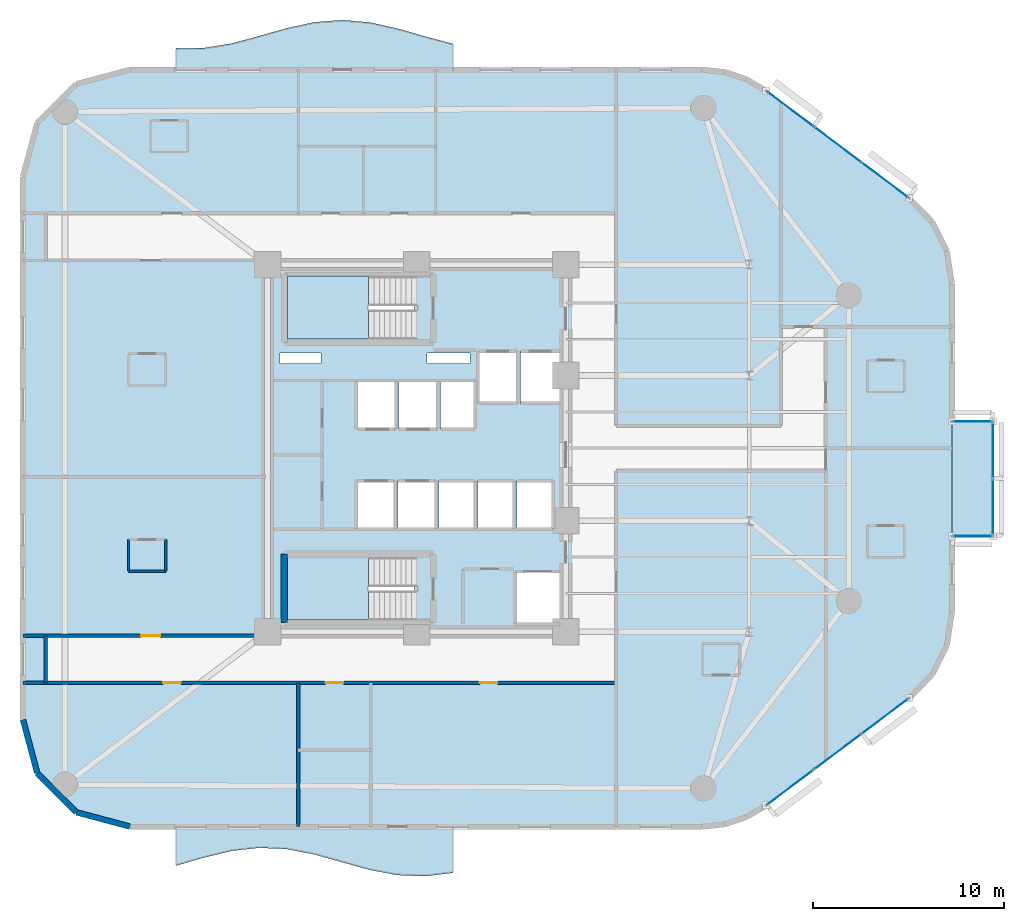
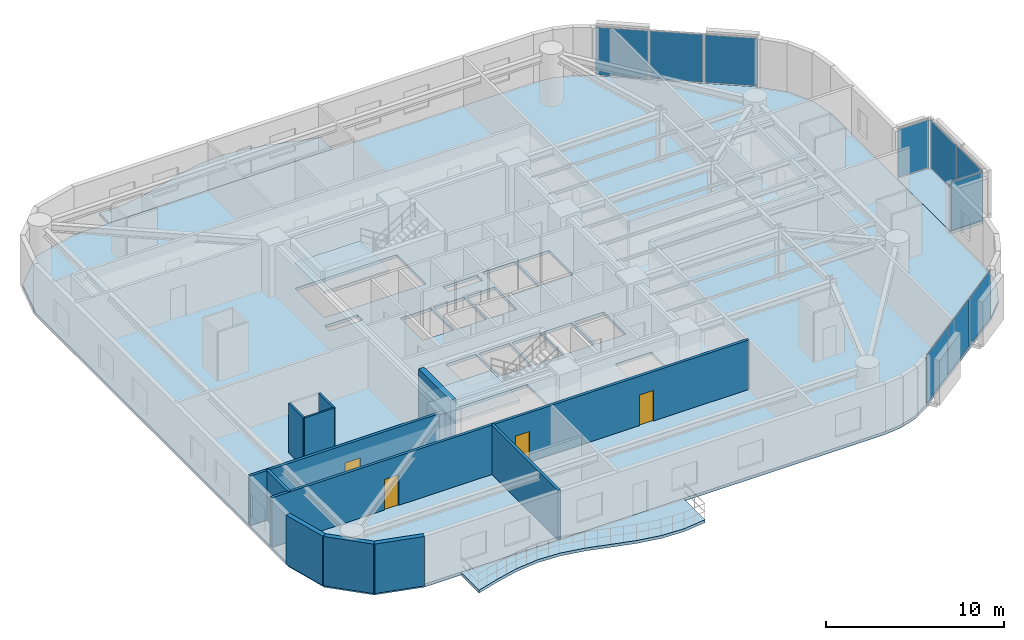
# One storey, part 7 of 14: 11 walls, 10 plates, 6 slabs, 4 doors, 4 openings, 7 elements without a shape of their own.
"""IFC4 building model written with IfcOpenShell, lengths in metres."""

from ifc_helpers import new_model, si_unit, direction, frame, frame_2d, origin, origin_2d, place, context, subcontext, project, spatial, polyline, rectangle, outline, extrude, material, layer, layer_set, type_object, element, fill, aggregate, save


model = new_model("IFC4")

# Units and contexts
model_context = context("Model", 3, precision=1e-05, world=origin(), true_north=direction((0.0, 1.0)))
body_context = subcontext(model_context, "Body", "Model", "MODEL_VIEW")
ifc_project = project(units=[si_unit("LENGTHUNIT", "METRE"), si_unit("AREAUNIT", "SQUARE_METRE"), si_unit("VOLUMEUNIT", "CUBIC_METRE"), si_unit("PLANEANGLEUNIT", "RADIAN"), si_unit("MASSUNIT", "GRAM", prefix="KILO")], contexts=[model_context])

# Site, building, storey
site_placement = place(None, origin())
site = spatial("IfcSite", under=ifc_project, at=site_placement, CompositionType="ELEMENT")
building_placement = place(site_placement, origin())
building = spatial("IfcBuilding", under=site, at=building_placement, Name="An Khanh Terracotta Commons", CompositionType="ELEMENT")
storey_placement = place(building_placement, frame((0.0, 0.0, 104.300048828125)))
storey = spatial("IfcBuildingStorey", under=building, at=storey_placement, Name="L27", CompositionType="ELEMENT", Elevation=104.300048828125)

# Curtain wall, plates
ifc_material_1 = material(Name="Anodised Aluminium 6063-T6", Category="aluminium")
ifc_layer_1 = layer(ifc_material_1, 0.199951171875, Name="Anodised Aluminium 6063-T6")
ifc_layer_set_1 = layer_set([ifc_layer_1], Name="Anodised Aluminium 6063-T6")
curtain_wall_type_1 = type_object("IfcCurtainWallType", Name="CW-SYS-02", PredefinedType="USERDEFINED", material=ifc_layer_set_1)
curtain_wall_1_placement = place(storey_placement, origin())
curtain_wall_1 = element("IfcCurtainWall", 1, at=curtain_wall_1_placement, inside=storey, type_object=curtain_wall_type_1, Name="L27 CW-02 Unitised Curtain Wall CW-L27-08", ObjectType="UNITISED CURTAIN WALL", PredefinedType="USERDEFINED")
ifc_material_2 = material(Name="Double Low-E Solar Control Glazing", Category="glass")
ifc_layer_2 = layer(ifc_material_2, 0.028076171875, Name="Double Low-E Solar Control Glazing")
ifc_layer_set_2 = layer_set([ifc_layer_2], Name="Double Low-E Solar Control Glazing")
plate_type_1 = type_object("IfcPlateType", Name="CWP-IGU-28", PredefinedType="CURTAIN_PANEL", material=ifc_layer_set_2)
plate_1_placement = place(storey_placement, frame((48.951416015625, 6.263916015625, 0.06005859375), z_axis=(0.0, 0.0, 1.0), x_axis=(0.800012856594, 0.599982857492, 0.0)))
plate_1 = element("IfcPlate", 2, at=plate_1_placement, type_object=plate_type_1, Name="CW-02 panel 1.1", PredefinedType="CURTAIN_PANEL", context=body_context, shape_type="SweptSolid", body=[
    extrude(rectangle(XDim=3.006103515625, YDim=0.028076171875, at=origin_2d()), origin(), (0.0, 0.0, 1.0), 3.280029296875),
])
plate_2_placement = place(storey_placement, frame((51.426513671875, 8.1201171875, 0.06005859375), z_axis=(0.0, 0.0, 1.0), x_axis=(0.800012856594, 0.599982857492, 0.0)))
plate_2 = element("IfcPlate", 3, at=plate_2_placement, type_object=plate_type_1, Name="CW-02 panel 2.1", PredefinedType="CURTAIN_PANEL", context=body_context, shape_type="SweptSolid", body=[
    extrude(rectangle(XDim=3.041259765625, YDim=0.028076171875, at=origin_2d()), origin(), (0.0, 0.0, 1.0), 3.280029296875),
])
plate_3_placement = place(storey_placement, frame((53.901611328125, 9.97607421875, 0.06005859375), z_axis=(0.0, 0.0, 1.0), x_axis=(0.800012856594, 0.599982857492, 0.0)))
plate_3 = element("IfcPlate", 4, at=plate_3_placement, type_object=plate_type_1, Name="CW-02 panel 3.1", PredefinedType="CURTAIN_PANEL", context=body_context, shape_type="SweptSolid", body=[
    extrude(rectangle(XDim=3.006103515625, YDim=0.028076171875, at=origin_2d()), origin(), (0.0, 0.0, 1.0), 3.280029296875),
])
aggregate(curtain_wall_1, [plate_1, plate_2, plate_3])

curtain_wall_2_placement = place(storey_placement, origin())
curtain_wall_2 = element("IfcCurtainWall", 5, at=curtain_wall_2_placement, inside=storey, type_object=curtain_wall_type_1, Name="L27 CW-02 Unitised Curtain Wall CW-L27-16", ObjectType="UNITISED CURTAIN WALL", PredefinedType="USERDEFINED")
plate_4_placement = place(storey_placement, frame((53.901611328125, 38.02392578125, 0.06005859375), z_axis=(0.0, 0.0, 1.0), x_axis=(-0.800012856594, 0.599982857492, 0.0)))
plate_4 = element("IfcPlate", 6, at=plate_4_placement, type_object=plate_type_1, Name="CW-02 panel 1.1", PredefinedType="CURTAIN_PANEL", context=body_context, shape_type="SweptSolid", body=[
    extrude(rectangle(XDim=3.006103515625, YDim=0.028076171875, at=origin_2d()), origin(), (0.0, 0.0, 1.0), 3.280029296875),
])
plate_5_placement = place(storey_placement, frame((51.426513671875, 39.8798828125, 0.06005859375), z_axis=(0.0, 0.0, 1.0), x_axis=(-0.800012856594, 0.599982857492, 0.0)))
plate_5 = element("IfcPlate", 7, at=plate_5_placement, type_object=plate_type_1, Name="CW-02 panel 2.1", PredefinedType="CURTAIN_PANEL", context=body_context, shape_type="SweptSolid", body=[
    extrude(rectangle(XDim=3.041259765625, YDim=0.028076171875, at=origin_2d()), origin(), (0.0, 0.0, 1.0), 3.280029296875),
])
plate_6_placement = place(storey_placement, frame((48.951416015625, 41.736083984375, 0.06005859375), z_axis=(0.0, 0.0, 1.0), x_axis=(-0.800012856594, 0.599982857492, 0.0)))
plate_6 = element("IfcPlate", 8, at=plate_6_placement, type_object=plate_type_1, Name="CW-02 panel 3.1", PredefinedType="CURTAIN_PANEL", context=body_context, shape_type="SweptSolid", body=[
    extrude(rectangle(XDim=3.006103515625, YDim=0.028076171875, at=origin_2d()), origin(), (0.0, 0.0, 1.0), 3.280029296875),
])
aggregate(curtain_wall_2, [plate_4, plate_5, plate_6])

ifc_layer_3 = layer(ifc_material_1, 0.239990234375, Name="Anodised Aluminium 6063-T6")
ifc_layer_set_3 = layer_set([ifc_layer_3], Name="Anodised Aluminium 6063-T6")
curtain_wall_type_2 = type_object("IfcCurtainWallType", Name="CW-SYS-04", PredefinedType="USERDEFINED", material=ifc_layer_set_3)
curtain_wall_3_placement = place(storey_placement, origin())
curtain_wall_3 = element("IfcCurtainWall", 9, at=curtain_wall_3_placement, inside=storey, type_object=curtain_wall_type_2, Name="L27 CW-04 Unitised Curtain Wall CW-L27-EBOX-1", ObjectType="UNITISED CURTAIN WALL", PredefinedType="USERDEFINED")
ifc_material_3 = material(Name="Triple-Silver Sky-Lobby Glazing", Category="glass")
ifc_layer_4 = layer(ifc_material_3, 0.0400390625, Name="Triple-Silver Sky-Lobby Glazing")
ifc_layer_set_4 = layer_set([ifc_layer_4], Name="Triple-Silver Sky-Lobby Glazing")
plate_type_2 = type_object("IfcPlateType", Name="CWP-IGU-40", PredefinedType="CURTAIN_PANEL", material=ifc_layer_set_4)
plate_7_placement = place(storey_placement, frame((59.550048828125, 20.916259765625, 0.06005859375), z_axis=(0.0, 0.0, 1.0), x_axis=(0.0, 1.0, 0.0)))
plate_7 = element("IfcPlate", 10, at=plate_7_placement, type_object=plate_type_2, Name="CW-04 panel 1.1", PredefinedType="CURTAIN_PANEL", context=body_context, shape_type="SweptSolid", body=[
    extrude(rectangle(XDim=2.902587890625, YDim=0.0400390625, at=origin_2d()), origin(), (0.0, 0.0, 1.0), 3.280029296875),
])
plate_8_placement = place(storey_placement, frame((59.550048828125, 23.8837890625, 0.06005859375), z_axis=(0.0, 0.0, 1.0), x_axis=(0.0, 1.0, 0.0)))
plate_8 = element("IfcPlate", 11, at=plate_8_placement, type_object=plate_type_2, Name="CW-04 panel 2.1", PredefinedType="CURTAIN_PANEL", context=body_context, shape_type="SweptSolid", body=[
    extrude(rectangle(XDim=2.902587890625, YDim=0.0400390625, at=origin_2d()), origin(), (0.0, 0.0, 1.0), 3.280029296875),
])
aggregate(curtain_wall_3, [plate_7, plate_8])

# Curtain wall, plate
curtain_wall_4_placement = place(storey_placement, origin())
curtain_wall_4 = element("IfcCurtainWall", 12, at=curtain_wall_4_placement, inside=storey, type_object=curtain_wall_type_2, Name="L27 CW-04 Unitised Curtain Wall CW-L27-EBOX-2", ObjectType="UNITISED CURTAIN WALL", PredefinedType="USERDEFINED")
plate_9_placement = place(storey_placement, frame((58.47509765625, 19.39990234375, 0.06005859375), z_axis=(0.0, 0.0, 1.0), x_axis=(1.0, 0.0, 0.0)))
plate_9 = element("IfcPlate", 13, at=plate_9_placement, type_object=plate_type_2, Name="CW-04 panel 1.1", PredefinedType="CURTAIN_PANEL", context=body_context, shape_type="SweptSolid", body=[
    extrude(rectangle(XDim=2.02001953125, YDim=0.0400390625, at=origin_2d()), origin(), (0.0, 0.0, 1.0), 3.280029296875),
])
aggregate(curtain_wall_4, [plate_9])

curtain_wall_5_placement = place(storey_placement, origin())
curtain_wall_5 = element("IfcCurtainWall", 14, at=curtain_wall_5_placement, inside=storey, type_object=curtain_wall_type_2, Name="L27 CW-04 Unitised Curtain Wall CW-L27-EBOX-3", ObjectType="UNITISED CURTAIN WALL", PredefinedType="USERDEFINED")
plate_10_placement = place(storey_placement, frame((58.47509765625, 25.39990234375, 0.06005859375), z_axis=(0.0, 0.0, 1.0), x_axis=(-1.0, 0.0, 0.0)))
plate_10 = element("IfcPlate", 15, at=plate_10_placement, type_object=plate_type_2, Name="CW-04 panel 1.1", PredefinedType="CURTAIN_PANEL", context=body_context, shape_type="SweptSolid", body=[
    extrude(rectangle(XDim=2.02001953125, YDim=0.0400390625, at=origin_2d()), origin(), (0.0, 0.0, 1.0), 3.280029296875),
])
aggregate(curtain_wall_5, [plate_10])

# Slabs
ifc_material_4 = material(Name="Concrete C40/50", Category="concrete")
ifc_layer_5 = layer(ifc_material_4, 0.199951171875, Name="Concrete C40/50")
ifc_layer_set_5 = layer_set([ifc_layer_5], Name="Concrete C40/50")
slab_type_1 = type_object("IfcSlabType", Name="SLAB-BALC-200", PredefinedType="FLOOR", material=ifc_layer_set_5)
slab_1_placement = place(storey_placement, frame((0.0, 0.0, -0.199951171875)))
element("IfcSlab", 16, at=slab_1_placement, inside=storey, type_object=slab_type_1, Name="L27 S Sinusoidal Wave Balcony Slab", PredefinedType="FLOOR", context=body_context, shape_type="SweptSolid", body=[
    extrude(outline(polyline([(16.800048828125, 4.199951171875), (16.800048828125, 2.156005859375), (18.25, 2.576904296875), (19.699951171875, 2.927001953125), (21.14990234375, 3.093994140625), (22.60009765625, 3.027099609375), (24.050048828125, 2.74609375), (25.5, 2.340087890625), (26.949951171875, 1.93701171875), (28.39990234375, 1.6650390625), (29.85009765625, 1.60791015625), (31.300048828125, 1.785888671875), (31.300048828125, 4.199951171875), (16.800048828125, 4.199951171875)])), origin(), (0.0, 0.0, 1.0), 0.199951171875),
])
slab_2_placement = place(storey_placement, frame((0.0, 0.0, -0.199951171875)))
element("IfcSlab", 17, at=slab_2_placement, inside=storey, type_object=slab_type_1, Name="L27 N Sinusoidal Wave Balcony Slab", PredefinedType="FLOOR", context=body_context, shape_type="SweptSolid", body=[
    extrude(outline(polyline([(31.300048828125, 43.800048828125), (31.300048828125, 45.155029296875), (29.85009765625, 45.5380859375), (28.39990234375, 45.955078125), (26.949951171875, 46.27587890625), (25.5, 46.39990234375), (24.050048828125, 46.287109375), (22.60009765625, 45.972900390625), (21.14990234375, 45.556884765625), (19.699951171875, 45.169921875), (18.25, 44.93505859375), (16.800048828125, 44.926025390625), (16.800048828125, 43.800048828125), (31.300048828125, 43.800048828125)])), origin(), (0.0, 0.0, 1.0), 0.199951171875),
])

# Stair, slab
ifc_material_5 = material(Name="Precast concrete C40/50", Category="concrete")
stair_type = type_object("IfcStairType", Name="STAIR-CORE-1550", PredefinedType="HALF_TURN_STAIR", material=ifc_material_5)
stair_1_placement = place(storey_placement, origin())
stair_1 = element("IfcStair", 18, at=stair_1_placement, inside=storey, type_object=stair_type, Name="L27 Core Smokeproof Exit Stair ST-01", PredefinedType="HALF_TURN_STAIR")
ifc_layer_6 = layer(ifc_material_4, 0.18994140625, Name="Concrete C40/50")
ifc_layer_set_6 = layer_set([ifc_layer_6], Name="Concrete C40/50")
slab_type_2 = type_object("IfcSlabType", Name="SLAB-LANDING-190", PredefinedType="LANDING", material=ifc_layer_set_6)
slab_3_placement = place(storey_placement, frame((0.0, 0.0, 1.599853515625)))
slab_3 = element("IfcSlab", 19, at=slab_3_placement, type_object=slab_type_2, Name="ST-01 landing 1", PredefinedType="LANDING", context=body_context, shape_type="SweptSolid", body=[
    extrude(outline(polyline([(26.889892578125, 33.0), (22.64990234375, 33.0), (22.64990234375, 29.699951171875), (26.889892578125, 29.699951171875), (26.889892578125, 33.0)])), origin(), (0.0, 0.0, 1.0), 0.2001953125),
])
aggregate(stair_1, [slab_3])

stair_2_placement = place(storey_placement, origin())
stair_2 = element("IfcStair", 20, at=stair_2_placement, inside=storey, type_object=stair_type, Name="L27 Core Smokeproof Exit Stair ST-02", PredefinedType="HALF_TURN_STAIR")
slab_4_placement = place(storey_placement, frame((0.0, 0.0, 1.599853515625)))
slab_4 = element("IfcSlab", 21, at=slab_4_placement, type_object=slab_type_2, Name="ST-02 landing 1", PredefinedType="LANDING", context=body_context, shape_type="SweptSolid", body=[
    extrude(outline(polyline([(26.889892578125, 18.300048828125), (22.64990234375, 18.300048828125), (22.64990234375, 15.0), (26.889892578125, 15.0), (26.889892578125, 18.300048828125)])), origin(), (0.0, 0.0, 1.0), 0.2001953125),
])
aggregate(stair_2, [slab_4])

# Slabs
ifc_layer_7 = layer(ifc_material_4, 0.199951171875, Name="Concrete C40/50")
ifc_layer_set_7 = layer_set([ifc_layer_7], Name="Concrete C40/50")
slab_type_3 = type_object("IfcSlabType", Name="SLAB-TYP-200", PredefinedType="FLOOR", material=ifc_layer_set_7)
slab_5_placement = place(storey_placement, frame((0.0, 0.0, -0.199951171875)))
element("IfcSlab", 22, at=slab_5_placement, inside=storey, type_object=slab_type_3, Name="L27 Structural Floor Slab", PredefinedType="FLOOR", context=body_context, shape_type="SweptSolid", body=[
    extrude(outline(polyline([(8.800048828125, 9.800048828125), (9.550048828125, 7.0), (11.60009765625, 4.949951171875), (14.39990234375, 4.199951171875), (44.3330078125, 4.199951171875), (45.52490234375, 4.327880859375), (46.6630859375, 4.70703125), (47.693115234375, 5.320068359375), (55.159912109375, 10.919921875), (56.364013671875, 12.154052734375), (57.135009765625, 13.696044921875), (57.39990234375, 15.39990234375), (57.39990234375, 32.60009765625), (57.135009765625, 34.303955078125), (56.364013671875, 35.845947265625), (55.159912109375, 37.080078125), (47.693115234375, 42.679931640625), (46.6630859375, 43.29296875), (45.52490234375, 43.672119140625), (44.3330078125, 43.800048828125), (14.39990234375, 43.800048828125), (11.60009765625, 43.050048828125), (9.550048828125, 41.0), (8.800048828125, 38.199951171875), (8.800048828125, 9.800048828125)]), holes=[polyline([(22.64990234375, 29.699951171875), (29.27001953125, 29.699951171875), (29.27001953125, 33.0), (22.64990234375, 33.0), (22.64990234375, 29.699951171875)]), polyline([(22.64990234375, 15.0), (29.27001953125, 15.0), (29.27001953125, 18.300048828125), (22.64990234375, 18.300048828125), (22.64990234375, 15.0)]), polyline([(32.60009765625, 26.35009765625), (34.679931640625, 26.35009765625), (34.679931640625, 29.080078125), (32.60009765625, 29.080078125), (32.60009765625, 26.35009765625)]), polyline([(34.820068359375, 26.35009765625), (36.89990234375, 26.35009765625), (36.89990234375, 29.080078125), (34.820068359375, 29.080078125), (34.820068359375, 26.35009765625)]), polyline([(34.550048828125, 14.800048828125), (36.89990234375, 14.800048828125), (36.89990234375, 17.550048828125), (34.550048828125, 17.550048828125), (34.550048828125, 14.800048828125)]), polyline([(26.320068359375, 25.0), (28.340087890625, 25.0), (28.340087890625, 27.5), (26.320068359375, 27.5), (26.320068359375, 25.0)]), polyline([(28.47998046875, 25.0), (30.5, 25.0), (30.5, 27.5), (28.47998046875, 27.5), (28.47998046875, 25.0)]), polyline([(26.280029296875, 19.800048828125), (28.280029296875, 19.800048828125), (28.280029296875, 22.300048828125), (26.280029296875, 22.300048828125), (26.280029296875, 19.800048828125)]), polyline([(28.419921875, 19.800048828125), (30.419921875, 19.800048828125), (30.419921875, 22.300048828125), (28.419921875, 22.300048828125), (28.419921875, 19.800048828125)]), polyline([(30.639892578125, 25.0), (32.4599609375, 25.0), (32.4599609375, 27.5), (30.639892578125, 27.5), (30.639892578125, 25.0)]), polyline([(30.56005859375, 19.800048828125), (32.4599609375, 19.800048828125), (32.4599609375, 22.300048828125), (30.56005859375, 22.300048828125), (30.56005859375, 19.800048828125)]), polyline([(32.60009765625, 19.800048828125), (34.5, 19.800048828125), (34.5, 22.300048828125), (32.60009765625, 22.300048828125), (32.60009765625, 19.800048828125)]), polyline([(34.639892578125, 19.800048828125), (36.5400390625, 19.800048828125), (36.5400390625, 22.300048828125), (34.639892578125, 22.300048828125), (34.639892578125, 19.800048828125)]), polyline([(22.25, 28.419921875), (24.39990234375, 28.419921875), (24.39990234375, 28.97998046875), (22.25, 28.97998046875), (22.25, 28.419921875)]), polyline([(29.949951171875, 28.419921875), (32.199951171875, 28.419921875), (32.199951171875, 28.97998046875), (29.949951171875, 28.97998046875), (29.949951171875, 28.419921875)])]), origin(), (0.0, 0.0, 1.0), 0.199951171875),
])
slab_6_placement = place(storey_placement, frame((0.0, 0.0, -0.199951171875)))
element("IfcSlab", 23, at=slab_6_placement, inside=storey, type_object=slab_type_3, Name="L27 Shifted Social Kitchen Box Floor Slab", PredefinedType="FLOOR", context=body_context, shape_type="SweptSolid", body=[
    extrude(outline(polyline([(57.39990234375, 19.39990234375), (59.550048828125, 19.39990234375), (59.550048828125, 25.39990234375), (57.39990234375, 25.39990234375), (57.39990234375, 19.39990234375)])), origin(), (0.0, 0.0, 1.0), 0.199951171875),
])

# Wall, openings, doors
ifc_material_6 = material(Name="Fire-Rated Gypsum Board on Steel Stud", Category="steel")
ifc_layer_8 = layer(ifc_material_6, 0.179931640625, Name="Fire-Rated Gypsum Board on Steel Stud")
ifc_layer_set_8 = layer_set([ifc_layer_8], Name="Fire-Rated Gypsum Board on Steel Stud")
wall_type_1 = type_object("IfcWallType", Name="WALL-CORR-180", PredefinedType="PARTITIONING", material=ifc_layer_set_8)
wall_1_placement = place(storey_placement, frame((8.800048828125, 11.719970703125, 0.0), z_axis=(0.0, 0.0, 1.0), x_axis=(1.0, 0.0, 0.0)))
wall_1 = element("IfcWall", 24, at=wall_1_placement, inside=storey, type_object=wall_type_1, Name="L27 Interior Partition IW-L27-E002", PredefinedType="PARTITIONING", context=body_context, shape_type="SweptSolid", body=[
    extrude(rectangle(XDim=31.050048828125, YDim=0.179931640625, at=frame_2d((15.52490234375, 0.0))), origin(), (0.0, 0.0, 1.0), 3.39990234375),
])
opening_1_placement = place(wall_1_placement, frame((15.840087890625, 0.0, 0.0)))
opening_1 = element("IfcOpeningElement", 25, at=opening_1_placement, cuts=wall_1, Name="Opening D-RM", PredefinedType="OPENING", context=body_context, shape_type="SweptSolid", body=[
    extrude(rectangle(XDim=0.919921875, YDim=2.10009765625, at=frame_2d((0.4599609375, 1.050048828125))), frame((0.0, 0.099853515625, 0.0), z_axis=(0.0, -1.0, 0.0), x_axis=(1.0, 0.0, 0.0)), (0.0, 0.0, 1.0), 0.199951171875),
])
opening_2_placement = place(wall_1_placement, frame((7.340087890625, 0.0, 0.0)))
opening_2 = element("IfcOpeningElement", 26, at=opening_2_placement, cuts=wall_1, Name="Opening D-RM", PredefinedType="OPENING", context=body_context, shape_type="SweptSolid", body=[
    extrude(rectangle(XDim=0.919921875, YDim=2.10009765625, at=frame_2d((0.4599609375, 1.050048828125))), frame((0.0, 0.099853515625, 0.0), z_axis=(0.0, -1.0, 0.0), x_axis=(1.0, 0.0, 0.0)), (0.0, 0.0, 1.0), 0.199951171875),
])
opening_3_placement = place(wall_1_placement, frame((23.905029296875, 0.0, 0.0)))
opening_3 = element("IfcOpeningElement", 27, at=opening_3_placement, cuts=wall_1, Name="Opening D-RM", PredefinedType="OPENING", context=body_context, shape_type="SweptSolid", body=[
    extrude(rectangle(XDim=0.919921875, YDim=2.10009765625, at=frame_2d((0.4599609375, 1.050048828125))), frame((0.0, 0.099853515625, 0.0), z_axis=(0.0, -1.0, 0.0), x_axis=(1.0, 0.0, 0.0)), (0.0, 0.0, 1.0), 0.199951171875),
])
ifc_material_7 = material(Name="Engineered Hardwood Timber Leaf", Category="wood")
door_type_1 = type_object("IfcDoorType", Name="DOOR-INT-920", OperationType="NOTDEFINED", PredefinedType="DOOR", material=ifc_material_7)
door_1_placement = place(opening_1_placement, origin())
door_1 = element("IfcDoor", 28, at=door_1_placement, inside=storey, type_object=door_type_1, Name="L27 HKP Housekeeping Linen Store Door", OperationType="SINGLE_SWING_LEFT", OverallHeight=2.10009765625, OverallWidth=0.919921875, PredefinedType="DOOR", context=body_context, shape_type="SweptSolid", body=[
    extrude(rectangle(XDim=0.919921875, YDim=2.10009765625, at=frame_2d((0.4599609375, 1.050048828125))), frame((0.0, 0.02490234375, 0.0), z_axis=(0.0, -1.0, 0.0), x_axis=(1.0, 0.0, 0.0)), (0.0, 0.0, 1.0), 0.050048828125),
])
fill(opening_1, door_1)
door_2_placement = place(opening_2_placement, origin())
door_2 = element("IfcDoor", 29, at=door_2_placement, inside=storey, type_object=door_type_1, Name="L27 SW1 Research Study Office Door", OperationType="SINGLE_SWING_LEFT", OverallHeight=2.10009765625, OverallWidth=0.919921875, PredefinedType="DOOR", context=body_context, shape_type="SweptSolid", body=[
    extrude(rectangle(XDim=0.919921875, YDim=2.10009765625, at=frame_2d((0.4599609375, 1.050048828125))), frame((0.0, 0.02490234375, 0.0), z_axis=(0.0, -1.0, 0.0), x_axis=(1.0, 0.0, 0.0)), (0.0, 0.0, 1.0), 0.050048828125),
])
fill(opening_2, door_2)
door_3_placement = place(opening_3_placement, origin())
door_3 = element("IfcDoor", 30, at=door_3_placement, inside=storey, type_object=door_type_1, Name="L27 SWE Communal Kitchen and Dining Door", OperationType="SINGLE_SWING_RIGHT", OverallHeight=2.10009765625, OverallWidth=0.919921875, PredefinedType="DOOR", context=body_context, shape_type="SweptSolid", body=[
    extrude(rectangle(XDim=0.919921875, YDim=2.10009765625, at=frame_2d((0.4599609375, 1.050048828125))), frame((0.0, 0.02490234375, 0.0), z_axis=(0.0, -1.0, 0.0), x_axis=(1.0, 0.0, 0.0)), (0.0, 0.0, 1.0), 0.050048828125),
])
fill(opening_3, door_3)

# Wall, opening, door
wall_2_placement = place(storey_placement, frame((8.800048828125, 14.179931640625, 0.0), z_axis=(0.0, 0.0, 1.0), x_axis=(1.0, 0.0, 0.0)))
wall_2 = element("IfcWall", 31, at=wall_2_placement, inside=storey, type_object=wall_type_1, Name="L27 Interior Partition IW-L27-E003", PredefinedType="PARTITIONING", context=body_context, shape_type="SweptSolid", body=[
    extrude(rectangle(XDim=12.679931640625, YDim=0.179931640625, at=frame_2d((6.33984375, 0.0))), origin(), (0.0, 0.0, 1.0), 3.39990234375),
])
opening_4_placement = place(wall_2_placement, frame((6.179931640625, 0.0, 0.0)))
opening_4 = element("IfcOpeningElement", 32, at=opening_4_placement, cuts=wall_2, Name="Opening D-UN", PredefinedType="OPENING", context=body_context, shape_type="SweptSolid", body=[
    extrude(rectangle(XDim=1.0, YDim=2.14990234375, at=frame_2d((0.5, 1.074951171875))), frame((0.0, 0.099853515625, 0.0), z_axis=(0.0, -1.0, 0.0), x_axis=(1.0, 0.0, 0.0)), (0.0, 0.0, 1.0), 0.199951171875),
])
ifc_material_8 = material(Name="Solid-Core Hardwood Acoustic Fire Door", Category="wood")
door_type_2 = type_object("IfcDoorType", Name="DOOR-UNIT-1000", OperationType="NOTDEFINED", PredefinedType="DOOR", material=ifc_material_8)
door_4_placement = place(opening_4_placement, origin())
door_4 = element("IfcDoor", 33, at=door_4_placement, inside=storey, type_object=door_type_2, Name="L27 WW1 Kitchenette and Studio Apartment Door", OperationType="SINGLE_SWING_LEFT", OverallHeight=2.14990234375, OverallWidth=1.0, PredefinedType="DOOR", context=body_context, shape_type="SweptSolid", body=[
    extrude(rectangle(XDim=1.0, YDim=2.14990234375, at=frame_2d((0.5, 1.074951171875))), frame((0.0, 0.02490234375, 0.0), z_axis=(0.0, -1.0, 0.0), x_axis=(1.0, 0.0, 0.0)), (0.0, 0.0, 1.0), 0.050048828125),
])
fill(opening_4, door_4)

# Walls
wall_3_placement = place(storey_placement, frame((10.0, 11.719970703125, 0.0), z_axis=(0.0, 0.0, 1.0), x_axis=(0.0, 1.0, 0.0)))
element("IfcWall", 34, at=wall_3_placement, inside=storey, type_object=wall_type_1, Name="L27 Interior Partition IW-L27-E012", PredefinedType="PARTITIONING", context=body_context, shape_type="SweptSolid", body=[
    extrude(rectangle(XDim=2.4599609375, YDim=0.179931640625, at=frame_2d((1.22998046875, 0.0))), origin(), (0.0, 0.0, 1.0), 3.39990234375),
])
wall_4_placement = place(storey_placement, frame((23.199951171875, 4.199951171875, 0.0), z_axis=(0.0, 0.0, 1.0), x_axis=(0.0, 1.0, 0.0)))
element("IfcWall", 35, at=wall_4_placement, inside=storey, type_object=wall_type_1, Name="L27 Interior Partition IW-L27-E014", PredefinedType="PARTITIONING", context=body_context, shape_type="SweptSolid", body=[
    extrude(rectangle(XDim=7.52001953125, YDim=0.179931640625, at=frame_2d((3.760009765625, 0.0))), origin(), (0.0, 0.0, 1.0), 3.39990234375),
])
ifc_layer_9 = layer(ifc_material_5, 0.300048828125, Name="Precast concrete C40/50")
ifc_layer_set_9 = layer_set([ifc_layer_9], Name="Precast concrete C40/50")
wall_type_2 = type_object("IfcWallType", Name="WALL-EXT-300", PredefinedType="SOLIDWALL", material=ifc_layer_set_9)
wall_5_placement = place(storey_placement, frame((8.800048828125, 9.800048828125, 0.0), z_axis=(0.0, 0.0, 1.0), x_axis=(0.258731875344, -0.96594917914, 0.0)))
element("IfcWall", 36, at=wall_5_placement, inside=storey, type_object=wall_type_2, Name="L27 Insulated Terracotta Exterior Wall 1", PredefinedType="SOLIDWALL", context=body_context, shape_type="SweptSolid", body=[
    extrude(rectangle(XDim=2.898681640625, YDim=0.300048828125, at=frame_2d((1.44921875, 0.0))), origin(), (0.0, 0.0, 1.0), 3.39990234375),
])
wall_6_placement = place(storey_placement, frame((9.550048828125, 7.0, 0.0), z_axis=(0.0, 0.0, 1.0), x_axis=(0.707106781187, -0.707106781187, 0.0)))
element("IfcWall", 37, at=wall_6_placement, inside=storey, type_object=wall_type_2, Name="L27 Insulated Terracotta Exterior Wall 2", PredefinedType="SOLIDWALL", context=body_context, shape_type="SweptSolid", body=[
    extrude(rectangle(XDim=2.899169921875, YDim=0.300048828125, at=frame_2d((1.44970703125, 0.0))), origin(), (0.0, 0.0, 1.0), 3.39990234375),
])
wall_7_placement = place(storey_placement, frame((11.60009765625, 4.949951171875, 0.0), z_axis=(0.0, 0.0, 1.0), x_axis=(0.965943540406, -0.258752926066, 0.0)))
element("IfcWall", 38, at=wall_7_placement, inside=storey, type_object=wall_type_2, Name="L27 Insulated Terracotta Exterior Wall 3", PredefinedType="SOLIDWALL", context=body_context, shape_type="SweptSolid", body=[
    extrude(rectangle(XDim=2.8984375, YDim=0.300048828125, at=frame_2d((1.44921875, 0.0))), origin(), (0.0, 0.0, 1.0), 3.39990234375),
])
ifc_material_9 = material(Name="Concrete C50/60", Category="concrete")
ifc_layer_10 = layer(ifc_material_9, 0.35009765625, Name="Concrete C50/60")
ifc_layer_set_10 = layer_set([ifc_layer_10], Name="Concrete C50/60")
wall_type_3 = type_object("IfcWallType", Name="WALL-SHAFT-350", PredefinedType="SOLIDWALL", material=ifc_layer_set_10)
wall_8_placement = place(storey_placement, frame((22.47998046875, 14.889892578125, 0.0), z_axis=(0.0, 0.0, 1.0), x_axis=(0.0, 1.0, 0.0)))
element("IfcWall", 39, at=wall_8_placement, inside=storey, type_object=wall_type_3, Name="L27 Core Wall STW-L27-S-W", PredefinedType="SOLIDWALL", context=body_context, shape_type="SweptSolid", body=[
    extrude(rectangle(XDim=3.580078125, YDim=0.35009765625, at=frame_2d((1.7900390625, 0.0))), origin(), (0.0, 0.0, 1.0), 3.39990234375),
])
ifc_material_10 = material(Name="Moisture-Resistant Cement Board Partition")
ifc_layer_11 = layer(ifc_material_10, 0.1201171875, Name="Moisture-Resistant Cement Board Partition")
ifc_layer_set_11 = layer_set([ifc_layer_11], Name="Moisture-Resistant Cement Board Partition")
wall_type_4 = type_object("IfcWallType", Name="WALL-WET-120", PredefinedType="PARTITIONING", material=ifc_layer_set_11)
wall_9_placement = place(storey_placement, frame((16.27490234375, 17.56494140625, 0.0), z_axis=(0.0, 0.0, 1.0), x_axis=(-1.0, 0.0, 0.0)))
element("IfcWall", 40, at=wall_9_placement, inside=storey, type_object=wall_type_4, Name="L27 Interior Partition IW-L27-WW1-BS", PredefinedType="PARTITIONING", context=body_context, shape_type="SweptSolid", body=[
    extrude(rectangle(XDim=1.949951171875, YDim=0.1201171875, at=frame_2d((0.97509765625, 0.0))), origin(), (0.0, 0.0, 1.0), 3.39990234375),
])
for number, where, z_axis, x_axis, name in (
    (41, (14.324951171875, 19.215087890625, 0.0), (0.0, 0.0, 1.0), (0.0, -1.0, 0.0), "L27 Interior Partition IW-L27-WW1-BW"),
    (42, (16.27490234375, 17.56494140625, 0.0), (0.0, 0.0, 1.0), (0.0, 1.0, 0.0), "L27 Interior Partition IW-L27-WW1-BE"),
):
    element("IfcWall", number, at=place(storey_placement, frame(where, z_axis=z_axis, x_axis=x_axis)), inside=storey, type_object=wall_type_4, Name=name, PredefinedType="PARTITIONING", context=body_context, shape_type="SweptSolid", body=[
        extrude(rectangle(XDim=1.650146484375, YDim=0.1201171875, at=frame_2d((0.8251953125, 0.0))), origin(), (0.0, 0.0, 1.0), 3.39990234375),
    ])

save(model, "model.ifc")
